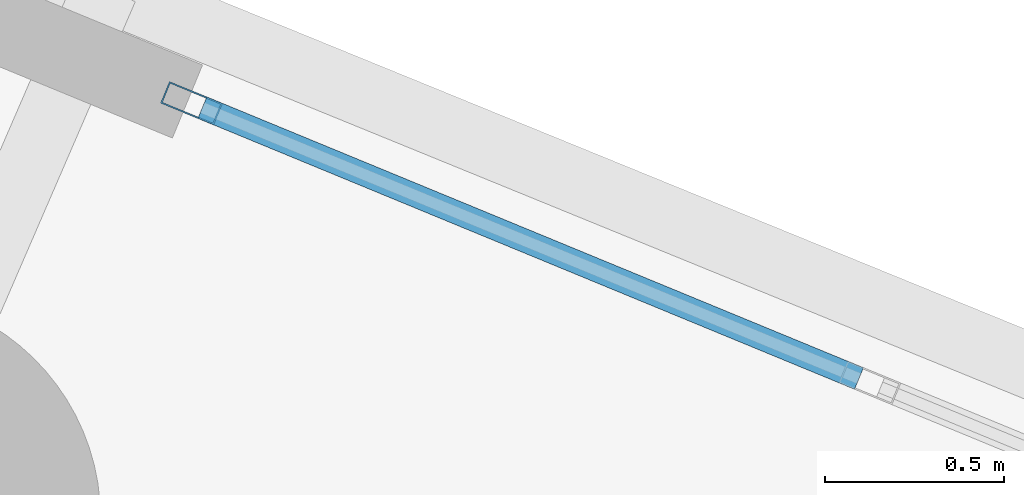
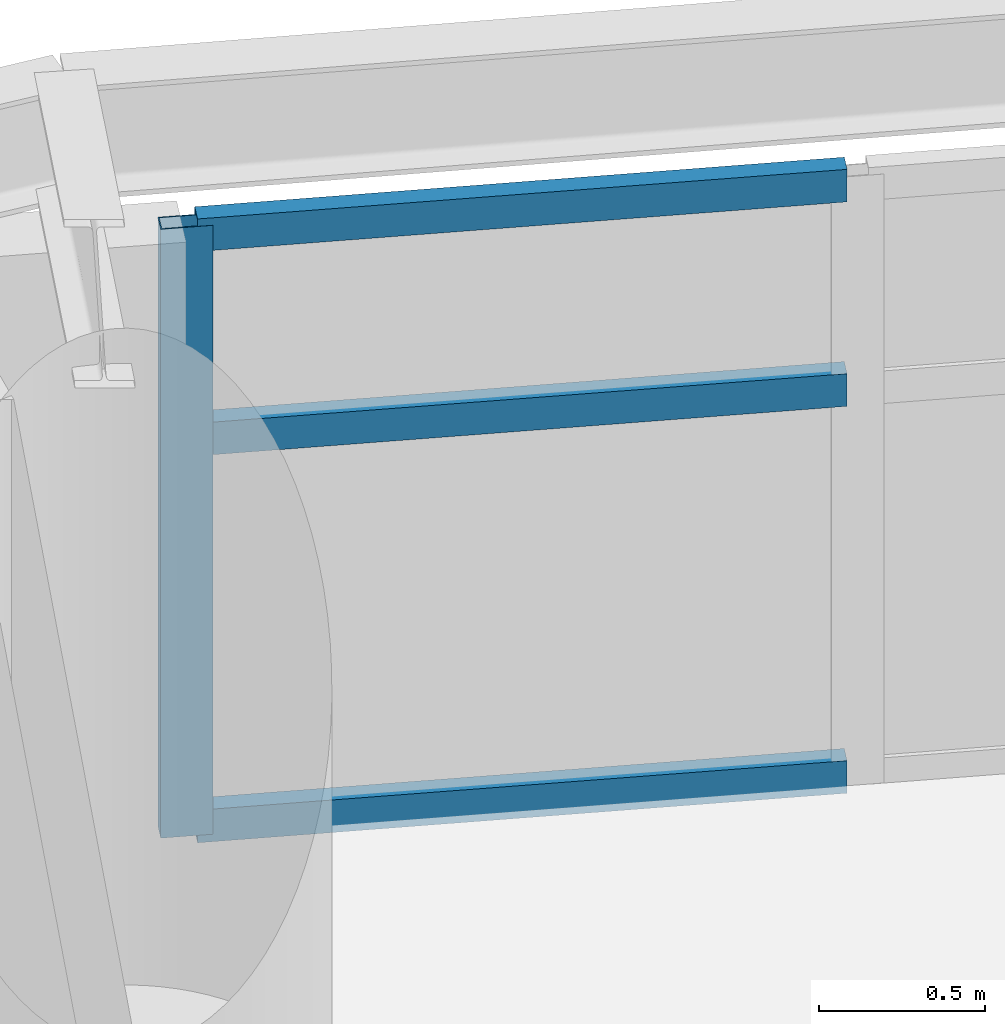
# One storey, part 7 of 17: 4 members, 1 element without a shape of its own.
"""IFC4 building model written with IfcOpenShell, lengths in metres."""

import ifcopenshell
import ifcopenshell.guid

model = None  # the IFC model being written
_history = None  # IfcOwnerHistory: only IFC2X3 demands one
_inside = {}  # id of a spatial element -> (the spatial element, [elements in it])
_under = {}  # id of a project, library or spatial element -> (it, [spatial elements below it])
_declared = {}  # id of a project -> (the project, [libraries it declares])
_typed = {}  # id of a type object -> (the type object, [elements of that type])
_made_of = {}  # id of a material, layer set ... -> (it, [elements and type objects made of it])


def new_model(schema):
    """Start an empty IFC model of exactly this schema.

    Asked for "IFC4X3", IfcOpenShell would pick the latest addendum, in which some entities
    have other attributes; the version numbers below select the first issue.
    IFC2X3 requires an IfcOwnerHistory on every rooted entity: one is made here for all.
    """
    global model, _history
    if schema == "IFC4X3":
        model = ifcopenshell.file(schema_version=(4, 3, 0, 0))
    else:
        model = ifcopenshell.file(schema=schema)
    _inside.clear()
    _under.clear()
    _declared.clear()
    _typed.clear()
    _made_of.clear()
    _history = None
    if model.schema == "IFC2X3":
        org = make("IfcOrganization", Name="unknown")
        user = make(
            "IfcPersonAndOrganization",
            ThePerson=make("IfcPerson", FamilyName="unknown"),
            TheOrganization=org,
        )
        app = make(
            "IfcApplication",
            ApplicationDeveloper=org,
            Version="unknown",
            ApplicationFullName="unknown",
            ApplicationIdentifier="unknown",
        )
        _history = make(
            "IfcOwnerHistory",
            OwningUser=user,
            OwningApplication=app,
            ChangeAction="ADDED",
            CreationDate=0,
        )
    return model


def make(cls, **values):
    """One entity of the class cls with the attributes given. An attribute that is None is left unset."""
    return model.create_entity(
        cls, **{name: value for name, value in values.items() if value is not None}
    )


def rooted(cls, **values):
    """An entity with a GlobalId (a new one), such as an element, a storey or a relation."""
    return make(cls, GlobalId=ifcopenshell.guid.new(), OwnerHistory=_history, **values)


def si_unit(unit_type, name, prefix=None):
    """IfcSIUnit, for example si_unit("LENGTHUNIT", "METRE", prefix="MILLI")."""
    return make("IfcSIUnit", UnitType=unit_type, Prefix=prefix, Name=name)


def assignment(units):
    """IfcUnitAssignment: the units of a project."""
    return None if units is None else make("IfcUnitAssignment", Units=units)


def point(xyz):
    """IfcCartesianPoint."""
    return None if xyz is None else make("IfcCartesianPoint", Coordinates=xyz)


def direction(xyz):
    """IfcDirection."""
    return None if xyz is None else make("IfcDirection", DirectionRatios=xyz)


def frame(location, z_axis=None, x_axis=None):
    """IfcAxis2Placement3D, a coordinate frame: its origin and axes. An axis left out is left unset."""
    return make(
        "IfcAxis2Placement3D",
        Location=point(location),
        Axis=direction(z_axis),
        RefDirection=direction(x_axis),
    )


def frame_2d(location, x_axis=None):
    """IfcAxis2Placement2D, a coordinate frame in the plane: its origin and x axis."""
    return make(
        "IfcAxis2Placement2D", Location=point(location), RefDirection=direction(x_axis)
    )


def origin():
    """The frame at (0, 0, 0) with its axes left unset."""
    return frame((0.0, 0.0, 0.0))


def origin_2d():
    """The frame at (0, 0) in the plane with its x axis left unset."""
    return frame_2d((0.0, 0.0))


def place(relative_to, where):
    """IfcLocalPlacement: puts the frame where relative to a parent placement (None: the world)."""
    return make(
        "IfcLocalPlacement", PlacementRelTo=relative_to, RelativePlacement=where
    )


def context(
    kind, dimensions, precision=None, world=None, true_north=None, identifier=None
):
    """IfcGeometricRepresentationContext, for example the 3D "Model" context."""
    return make(
        "IfcGeometricRepresentationContext",
        ContextIdentifier=identifier,
        ContextType=kind,
        CoordinateSpaceDimension=dimensions,
        Precision=precision,
        WorldCoordinateSystem=world,
        TrueNorth=true_north,
    )


def subcontext(parent, identifier, kind, view, scale=None):
    """IfcGeometricRepresentationSubContext, for example "Body" below "Model"."""
    return make(
        "IfcGeometricRepresentationSubContext",
        ContextIdentifier=identifier,
        ContextType=kind,
        ParentContext=parent,
        TargetScale=scale,
        TargetView=view,
    )


def project(units=None, contexts=None):
    """IfcProject with its units and contexts."""
    return rooted(
        "IfcProject",
        Name="project",
        RepresentationContexts=contexts,
        UnitsInContext=assignment(units),
    )


def spatial(cls, under=None, at=None, **own):
    """A site, building, storey or space (cls), placed at a placement, below another one or the project."""
    s = rooted(cls, ObjectPlacement=at, **own)
    if under is not None:
        _under.setdefault(under.id(), (under, []))[1].append(s)
    return s


def profile(cls, at=None, kind="AREA", **sizes):
    """A parametric profile (cls). Its sizes go by their IFC names, for example OverallWidth=200.0."""
    return make(cls, ProfileType=kind, Position=at, **sizes)


def hollow_rectangle(**sizes):
    """IfcRectangleHollowProfileDef."""
    return profile("IfcRectangleHollowProfileDef", **sizes)


def extrude(swept, where, along, depth):
    """IfcExtrudedAreaSolid: the profile swept, set in the frame where, extruded along a direction by depth."""
    return make(
        "IfcExtrudedAreaSolid",
        SweptArea=swept,
        Position=where,
        ExtrudedDirection=direction(along),
        Depth=depth,
    )


def shape(context_of_items, identifier, shape_type, items):
    """IfcShapeRepresentation: the items that make up one representation, for example the "Body"."""
    return make(
        "IfcShapeRepresentation",
        ContextOfItems=context_of_items,
        RepresentationIdentifier=identifier,
        RepresentationType=shape_type,
        Items=items,
    )


def material(Name=None, Category=None):
    """IfcMaterial."""
    return make("IfcMaterial", Name=Name, Category=Category)


def layer(
    of_material, thickness, ventilated=None, Name=None, Category=None, Priority=None
):
    """IfcMaterialLayer: one layer of a wall or slab, of a material (None: an air gap)."""
    return make(
        "IfcMaterialLayer",
        Material=of_material,
        LayerThickness=thickness,
        IsVentilated=ventilated,
        Name=Name,
        Category=Category,
        Priority=Priority,
    )


def layer_set(layers, Name=None):
    """IfcMaterialLayerSet."""
    return make("IfcMaterialLayerSet", MaterialLayers=layers, LayerSetName=Name)


def material_profile(
    of_material, cross_section, Name=None, Category=None, Priority=None
):
    """IfcMaterialProfile: a cross section and its material."""
    return make(
        "IfcMaterialProfile",
        Name=Name,
        Material=of_material,
        Profile=cross_section,
        Priority=Priority,
        Category=Category,
    )


def profile_set(profiles, Name=None, composite=None):
    """IfcMaterialProfileSet."""
    return make(
        "IfcMaterialProfileSet",
        Name=Name,
        MaterialProfiles=profiles,
        CompositeProfile=composite,
    )


def made_of(thing, what):
    """Note that an element or type object is made of a material, layer set ...; save() writes the relation."""
    if what is not None:
        _made_of.setdefault(what.id(), (what, []))[1].append(thing)
    return thing


def type_object(cls, material=None, **own):
    """A type object (cls), such as IfcWallType, which elements share."""
    return made_of(rooted(cls, **own), material)


def element(
    cls,
    number,
    at=None,
    inside=None,
    cuts=None,
    type_object=None,
    material=None,
    context=None,
    identifier="Body",
    shape_type=None,
    held_by="IfcProductDefinitionShape",
    body=None,
    shapes=None,
    **own,
):
    """One element of the class cls, such as IfcWall. Its Tag is "e" and its number.

    at: its placement. inside: the storey or other place that contains it. cuts: it is an
    opening in that element (IfcRelVoidsElement). A single representation is given by context,
    identifier, shape_type and body (its items); several are given by shapes. held_by: the class
    of the entity that holds the representations. save() writes the other relations.
    """
    e = rooted(cls, Tag="e%d" % number, ObjectPlacement=at, **own)
    if body is not None:
        shapes = [shape(context, identifier, shape_type, body)]
    if shapes is not None:
        e.Representation = make(held_by, Representations=shapes)
    if inside is not None:
        _inside.setdefault(inside.id(), (inside, []))[1].append(e)
    if cuts is not None:
        rooted(
            "IfcRelVoidsElement", RelatingBuildingElement=cuts, RelatedOpeningElement=e
        )
    if type_object is not None:
        _typed.setdefault(type_object.id(), (type_object, []))[1].append(e)
    return made_of(e, material)


def aggregate(whole, parts):
    """IfcRelAggregates: a whole, such as a stair, and the parts it consists of."""
    return rooted("IfcRelAggregates", RelatingObject=whole, RelatedObjects=parts)


def save(model, path):
    """Write the relations noted so far, then the file.

    IfcRelAggregates (storeys below a building ...), IfcRelContainedInSpatialStructure (elements
    in a storey), IfcRelDefinesByType, IfcRelAssociatesMaterial and IfcRelDeclares: one each for
    every whole, place, type object, material and project.
    """
    for whole, parts in _under.values():
        aggregate(whole, parts)
    for where, things in _inside.values():
        rooted(
            "IfcRelContainedInSpatialStructure",
            RelatedElements=things,
            RelatingStructure=where,
        )
    for kind, things in _typed.values():
        rooted("IfcRelDefinesByType", RelatedObjects=things, RelatingType=kind)
    for what, things in _made_of.values():
        rooted("IfcRelAssociatesMaterial", RelatedObjects=things, RelatingMaterial=what)
    for by, libraries in _declared.values():
        rooted("IfcRelDeclares", RelatingContext=by, RelatedDefinitions=libraries)
    model.write(path)


model = new_model("IFC4")

# Units and contexts
model_context = context("Model", 3, precision=1e-05, world=origin(), true_north=direction((0.0, 1.0)))
body_context = subcontext(model_context, "Body", "Model", "MODEL_VIEW")
ifc_project = project(units=[si_unit("LENGTHUNIT", "METRE"), si_unit("AREAUNIT", "SQUARE_METRE"), si_unit("VOLUMEUNIT", "CUBIC_METRE"), si_unit("PLANEANGLEUNIT", "RADIAN"), si_unit("MASSUNIT", "GRAM", prefix="KILO")], contexts=[model_context])

# Site, building, storey
site_placement = place(None, origin())
site = spatial("IfcSite", under=ifc_project, at=site_placement, CompositionType="ELEMENT")
building_placement = place(site_placement, origin())
building = spatial("IfcBuilding", under=site, at=building_placement, Name="Cununo Teusaquillo Station Towers", CompositionType="ELEMENT")
storey_placement = place(building_placement, frame((0.0, 0.0, 183.610107421875)))
storey = spatial("IfcBuildingStorey", under=building, at=storey_placement, Name="L58", CompositionType="ELEMENT", Elevation=183.610107421875)

# Curtain wall, members
ifc_material_1 = material(Name="Operable acoustic tinted low-E double glazing", Category="glass")
ifc_layer = layer(ifc_material_1, 0.179931640625)
ifc_layer_set = layer_set([ifc_layer], Name="Operable acoustic tinted low-E double glazing")
curtain_wall_type = type_object("IfcCurtainWallType", Name="CW-SYS-06", PredefinedType="USERDEFINED", material=ifc_layer_set)
curtain_wall_placement = place(storey_placement, origin())
curtain_wall = element("IfcCurtainWall", 1, at=curtain_wall_placement, inside=storey, type_object=curtain_wall_type, Name="L58 Tower B Facade Curtain Wall C01", ObjectType="OPERABLE GLAZING", PredefinedType="USERDEFINED")
ifc_material_2 = material(Name="Anodised dark bronze aluminium EN AW-6063-T6", Category="aluminium")
ifc_material_profile_1 = material_profile(ifc_material_2, hollow_rectangle(XDim=0.06494140625, YDim=0.159912109375, WallThickness=0.00390625, at=origin_2d()), Name="CW-MULL-65x160")
ifc_profile_set_1 = profile_set([ifc_material_profile_1], Name="Anodised dark bronze aluminium EN AW-6063-T6")
member_type_1 = type_object("IfcMemberType", Name="CWM-160", PredefinedType="MULLION", material=ifc_profile_set_1)
member_1_placement = place(storey_placement, frame((59.16943359375, 38.791015625, 0.0), z_axis=(0.0, 0.0, 1.0), x_axis=(0.381229322376, 0.924480504803, 0.0)))
member_1 = element("IfcMember", 2, at=member_1_placement, type_object=member_type_1, Name="CW-06 mullion 1", PredefinedType="MULLION", context=body_context, shape_type="SweptSolid", body=[
    extrude(hollow_rectangle(XDim=0.06494140625, YDim=0.159912109375, WallThickness=0.00390625, at=origin_2d()), origin(), (0.0, 0.0, 1.0), 2.244873046875),
])
ifc_material_3 = material(Name="Anodised dark bronze aluminium EN AW-6063-T6", Category="aluminium")
ifc_material_profile_2 = material_profile(ifc_material_3, hollow_rectangle(XDim=0.06494140625, YDim=0.1201171875, WallThickness=0.00390625, at=origin_2d()), Name="CW-TRAN-65x120")
ifc_profile_set_2 = profile_set([ifc_material_profile_2], Name="Anodised dark bronze aluminium EN AW-6063-T6")
member_type_2 = type_object("IfcMemberType", Name="CWT-120", PredefinedType="USERDEFINED", material=ifc_profile_set_2)
member_2_placement = place(storey_placement, frame((59.199462890625, 38.77880859375, 0.032470703125), z_axis=(0.924450559311, -0.381301932056, 0.0), x_axis=(0.381301932056, 0.924450559311, 0.0)))
member_2 = element("IfcMember", 3, at=member_2_placement, type_object=member_type_2, Name="CW-06 transom 1.1", ObjectType="TRANSOM", PredefinedType="USERDEFINED", context=body_context, shape_type="SweptSolid", body=[
    extrude(hollow_rectangle(XDim=0.06494140625, YDim=0.1201171875, WallThickness=0.00390625, at=origin_2d()), origin(), (0.0, 0.0, 1.0), 1.97900390625),
])
member_3_placement = place(storey_placement, frame((59.199462890625, 38.77880859375, 1.458984375), z_axis=(0.924450559311, -0.381301932056, 0.0), x_axis=(0.381301932056, 0.924450559311, 0.0)))
member_3 = element("IfcMember", 4, at=member_3_placement, type_object=member_type_2, Name="CW-06 transom 1.2", ObjectType="TRANSOM", PredefinedType="USERDEFINED", context=body_context, shape_type="SweptSolid", body=[
    extrude(hollow_rectangle(XDim=0.06494140625, YDim=0.1201171875, WallThickness=0.00390625, at=origin_2d()), origin(), (0.0, 0.0, 1.0), 1.97900390625),
])
member_4_placement = place(storey_placement, frame((59.199462890625, 38.77880859375, 2.21240234375), z_axis=(0.924450559311, -0.381301932056, 0.0), x_axis=(0.381301932056, 0.924450559311, 0.0)))
member_4 = element("IfcMember", 5, at=member_4_placement, type_object=member_type_2, Name="CW-06 transom 1.3", ObjectType="TRANSOM", PredefinedType="USERDEFINED", context=body_context, shape_type="SweptSolid", body=[
    extrude(hollow_rectangle(XDim=0.06494140625, YDim=0.1201171875, WallThickness=0.00390625, at=origin_2d()), origin(), (0.0, 0.0, 1.0), 1.97900390625),
])
aggregate(curtain_wall, [member_1, member_2, member_3, member_4])

save(model, "model.ifc")
